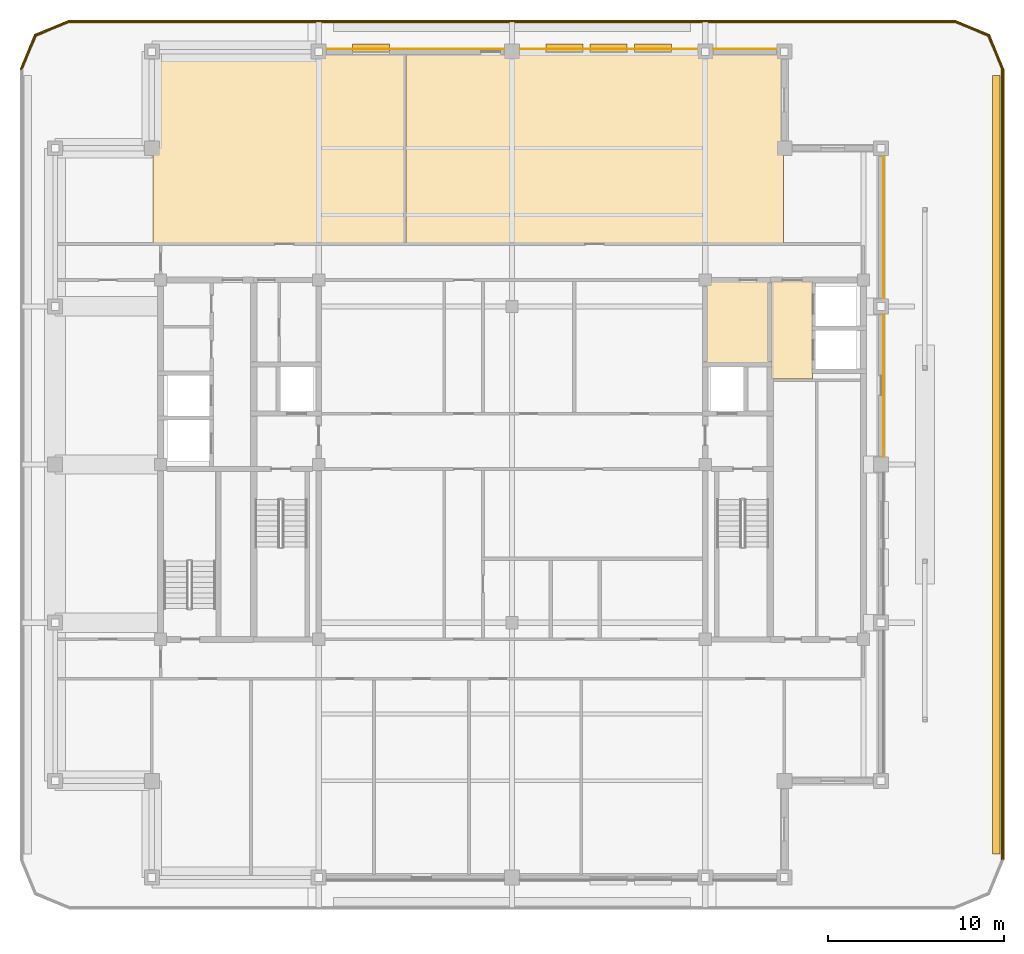
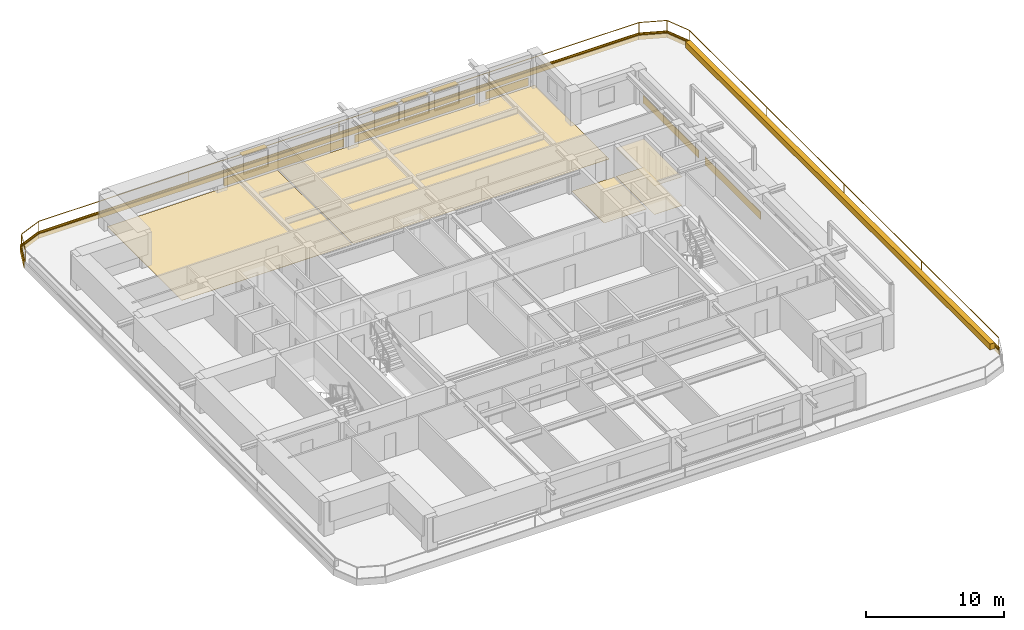
# One storey, part 14 of 14: 17 coverings, 4 shading devices, 2 railings.
"""IFC4 building model written with IfcOpenShell, lengths in metres."""

from ifc_helpers import new_model, si_unit, direction, frame, frame_2d, origin, origin_2d, place, context, subcontext, project, spatial, polyline, rectangle, outline, extrude, material, layer, layer_set, type_object, element, save


model = new_model("IFC4")

# Units and contexts
model_context = context("Model", 3, precision=1e-05, world=origin(), true_north=direction((0.0, 1.0)))
body_context = subcontext(model_context, "Body", "Model", "MODEL_VIEW")
ifc_project = project(units=[si_unit("LENGTHUNIT", "METRE"), si_unit("AREAUNIT", "SQUARE_METRE"), si_unit("VOLUMEUNIT", "CUBIC_METRE"), si_unit("PLANEANGLEUNIT", "RADIAN"), si_unit("MASSUNIT", "GRAM", prefix="KILO")], contexts=[model_context])

# Site, building, storey
site_placement = place(None, origin())
site = spatial("IfcSite", under=ifc_project, at=site_placement, CompositionType="ELEMENT")
building_placement = place(site_placement, origin())
building = spatial("IfcBuilding", under=site, at=building_placement, Name="Zulmaris Gate Convention Tower", CompositionType="ELEMENT")
storey_placement = place(building_placement, frame((0.0, 0.0, 254.429931640625)))
storey = spatial("IfcBuildingStorey", under=building, at=storey_placement, Name="L67", CompositionType="ELEMENT", Elevation=254.429931640625)

# Coverings
ifc_material_1 = material(Name="Precast concrete C40/50", Category="concrete")
ifc_layer_1 = layer(ifc_material_1, 0.0400390625, Name="Precast concrete C40/50")
ifc_layer_set_1 = layer_set([ifc_layer_1], Name="Precast concrete C40/50")
covering_type_1 = type_object("IfcCoveringType", Name="CLAD-SPANDREL-PRECAST", PredefinedType="CLADDING", material=ifc_layer_set_1)
for number, where, z_axis, x_axis, name in (
    (1, (-0.455078125, 23.64990234375, 0.0), (0.0, 0.0, 1.0), (-1.0, 0.0, 0.0), "CLD-L67-N-1_0"),
    (2, (10.544921875, 23.64990234375, 0.0), (0.0, 0.0, 1.0), (-1.0, 0.0, 0.0), "CLD-L67-N-2_0"),
):
    element("IfcCovering", number, at=place(storey_placement, frame(where, z_axis=z_axis, x_axis=x_axis)), inside=storey, type_object=covering_type_1, Name=name, PredefinedType="CLADDING", context=body_context, shape_type="SweptSolid", body=[
        extrude(rectangle(XDim=10.08984375, YDim=0.0400390625, at=frame_2d((5.044921875, 0.0))), origin(), (0.0, 0.0, 1.0), 0.679931640625),
    ])
covering_1_placement = place(storey_placement, frame((15.044921875, 23.64990234375, 0.0), z_axis=(0.0, 0.0, 1.0), x_axis=(-1.0, 0.0, 0.0)))
element("IfcCovering", 3, at=covering_1_placement, inside=storey, type_object=covering_type_1, Name="CLD-L67-N-3_0", PredefinedType="CLADDING", context=body_context, shape_type="SweptSolid", body=[
    extrude(rectangle(XDim=3.58984375, YDim=0.0400390625, at=frame_2d((1.794921875, 0.0))), origin(), (0.0, 0.0, 1.0), 0.679931640625),
])
for number, where, z_axis, x_axis, name in (
    (4, (21.14990234375, 0.455078125, 0.0), (0.0, 0.0, 1.0), (0.0, 1.0, 0.0), "CLD-L67-E-2_0"),
    (5, (21.14990234375, 9.455078125, 0.0), (0.0, 0.0, 1.0), (0.0, 1.0, 0.0), "CLD-L67-E-3_0"),
):
    element("IfcCovering", number, at=place(storey_placement, frame(where, z_axis=z_axis, x_axis=x_axis)), inside=storey, type_object=covering_type_1, Name=name, PredefinedType="CLADDING", context=body_context, shape_type="SweptSolid", body=[
        extrude(rectangle(XDim=8.08984375, YDim=0.0400390625, at=frame_2d((4.044921875, 0.0))), origin(), (0.0, 0.0, 1.0), 0.679931640625),
    ])
ifc_material_2 = material(Name="White Glazed Architectural Precast Concrete C40/50", Category="concrete")
ifc_layer_2 = layer(ifc_material_2, 0.080078125, Name="White Glazed Architectural Precast Concrete C40/50")
ifc_layer_set_2 = layer_set([ifc_layer_2], Name="White Glazed Architectural Precast Concrete C40/50")
covering_type_2 = type_object("IfcCoveringType", Name="CLAD-TRAY-FASCIA", PredefinedType="CLADDING", material=ifc_layer_set_2)
covering_2_placement = place(storey_placement, frame((27.9599609375, -22.5, -0.465087890625), z_axis=(0.0, 0.0, 1.0), x_axis=(0.0, 1.0, 0.0)))
element("IfcCovering", 6, at=covering_2_placement, inside=storey, type_object=covering_type_2, Name="FSC-L67-TR-05", PredefinedType="CLADDING", context=body_context, shape_type="SweptSolid", body=[
    extrude(rectangle(XDim=45.0, YDim=0.080078125, at=frame_2d((22.5, 0.0))), origin(), (0.0, 0.0, 1.0), 0.5849609375),
])
covering_3_placement = place(storey_placement, frame((27.962890625, 22.484619140625, -0.465087890625), z_axis=(0.0, 0.0, 1.0), x_axis=(-0.382656984709, 0.923890487046, 0.0)))
element("IfcCovering", 7, at=covering_3_placement, inside=storey, type_object=covering_type_2, Name="FSC-L67-TR-06", PredefinedType="CLADDING", context=body_context, shape_type="SweptSolid", body=[
    extrude(rectangle(XDim=2.14306640625, YDim=0.080078125, at=frame_2d((1.071533203125, 0.0))), origin(), (0.0, 0.0, 1.0), 0.5849609375),
])
covering_4_placement = place(storey_placement, frame((27.16455078125, 24.44287109375, -0.465087890625), z_axis=(0.0, 0.0, 1.0), x_axis=(-0.923873803533, 0.382697263049, 0.0)))
element("IfcCovering", 8, at=covering_4_placement, inside=storey, type_object=covering_type_2, Name="FSC-L67-TR-07", PredefinedType="CLADDING", context=body_context, shape_type="SweptSolid", body=[
    extrude(rectangle(XDim=2.142822265625, YDim=0.080078125, at=frame_2d((1.0712890625, 0.0))), origin(), (0.0, 0.0, 1.0), 0.5849609375),
])
covering_5_placement = place(storey_placement, frame((25.199951171875, 25.260009765625, -0.465087890625), z_axis=(0.0, 0.0, 1.0), x_axis=(-1.0, 0.0, 0.0)))
element("IfcCovering", 9, at=covering_5_placement, inside=storey, type_object=covering_type_2, Name="FSC-L67-TR-08", PredefinedType="CLADDING", context=body_context, shape_type="SweptSolid", body=[
    extrude(rectangle(XDim=50.39990234375, YDim=0.080078125, at=frame_2d((25.199951171875, 0.0))), origin(), (0.0, 0.0, 1.0), 0.5849609375),
])
covering_6_placement = place(storey_placement, frame((-25.184814453125, 25.262939453125, -0.465087890625), z_axis=(0.0, 0.0, 1.0), x_axis=(-0.923873803533, -0.382697263049, 0.0)))
element("IfcCovering", 10, at=covering_6_placement, inside=storey, type_object=covering_type_2, Name="FSC-L67-TR-09", PredefinedType="CLADDING", context=body_context, shape_type="SweptSolid", body=[
    extrude(rectangle(XDim=2.142822265625, YDim=0.080078125, at=frame_2d((1.0712890625, 0.0))), origin(), (0.0, 0.0, 1.0), 0.5849609375),
])
covering_7_placement = place(storey_placement, frame((-27.142822265625, 24.464599609375, -0.465087890625), z_axis=(0.0, 0.0, 1.0), x_axis=(-0.382656984709, -0.923890487046, 0.0)))
element("IfcCovering", 11, at=covering_7_placement, inside=storey, type_object=covering_type_2, Name="FSC-L67-TR-10", PredefinedType="CLADDING", context=body_context, shape_type="SweptSolid", body=[
    extrude(rectangle(XDim=2.14306640625, YDim=0.080078125, at=frame_2d((1.071533203125, 0.0))), origin(), (0.0, 0.0, 1.0), 0.5849609375),
])
ifc_material_3 = material(Name="Mineral Fibre Acoustic Ceiling Tile")
ifc_layer_3 = layer(ifc_material_3, 0.02001953125, Name="Mineral Fibre Acoustic Ceiling Tile")
ifc_layer_set_3 = layer_set([ifc_layer_3], Name="Mineral Fibre Acoustic Ceiling Tile")
covering_type_3 = type_object("IfcCoveringType", Name="CLG-ACOUSTIC-600", PredefinedType="CEILING", material=ifc_layer_set_3)
covering_8_placement = place(storey_placement, frame((0.0, 0.0, 2.5380859375)))
element("IfcCovering", 12, at=covering_8_placement, inside=storey, type_object=covering_type_3, Name="CLG-L67-R23", PredefinedType="CEILING", context=body_context, shape_type="SweptSolid", body=[
    extrude(outline(polyline([(14.760009765625, 4.860107421875), (17.090087890625, 4.860107421875), (17.090087890625, 10.43994140625), (14.760009765625, 10.43994140625), (14.760009765625, 4.860107421875)])), origin(), (0.0, 0.0, 1.0), 0.019775390625),
])
ifc_material_4 = material(Name="Woven Acoustic Wool Carpet Tile")
ifc_layer_4 = layer(ifc_material_4, 0.02001953125, Name="Woven Acoustic Wool Carpet Tile")
ifc_layer_set_4 = layer_set([ifc_layer_4], Name="Woven Acoustic Wool Carpet Tile")
covering_type_4 = type_object("IfcCoveringType", Name="FLR-CARPET-12", PredefinedType="FLOORING", material=ifc_layer_set_4)
covering_9_placement = place(storey_placement, origin())
element("IfcCovering", 13, at=covering_9_placement, inside=storey, type_object=covering_type_4, Name="FLR-L67-R13", PredefinedType="FLOORING", context=body_context, shape_type="SweptSolid", body=[
    extrude(outline(polyline([(11.06005859375, 5.760009765625), (14.639892578125, 5.760009765625), (14.639892578125, 10.43994140625), (11.06005859375, 10.43994140625), (11.06005859375, 5.760009765625)])), origin(), (0.0, 0.0, 1.0), 0.02001953125),
])
covering_10_placement = place(storey_placement, origin())
element("IfcCovering", 14, at=covering_10_placement, inside=storey, type_object=covering_type_4, Name="FLR-L67-R23", PredefinedType="FLOORING", context=body_context, shape_type="SweptSolid", body=[
    extrude(outline(polyline([(14.760009765625, 4.860107421875), (17.090087890625, 4.860107421875), (17.090087890625, 10.43994140625), (14.760009765625, 10.43994140625), (14.760009765625, 4.860107421875)])), origin(), (0.0, 0.0, 1.0), 0.02001953125),
])
covering_11_placement = place(storey_placement, origin())
element("IfcCovering", 15, at=covering_11_placement, inside=storey, type_object=covering_type_4, Name="FLR-L67-R35", PredefinedType="FLOORING", context=body_context, shape_type="SweptSolid", body=[
    extrude(outline(polyline([(-6.0400390625, 12.610107421875), (15.43994140625, 12.610107421875), (15.43994140625, 23.43994140625), (-6.0400390625, 23.43994140625), (-6.0400390625, 12.610107421875)])), origin(), (0.0, 0.0, 1.0), 0.02001953125),
])
ifc_material_5 = material(Name="Engineered Teak Parquet Flooring")
ifc_layer_5 = layer(ifc_material_5, 0.02001953125, Name="Engineered Teak Parquet Flooring")
ifc_layer_set_5 = layer_set([ifc_layer_5], Name="Engineered Teak Parquet Flooring")
covering_type_5 = type_object("IfcCoveringType", Name="FLR-TIMBER-18", PredefinedType="FLOORING", material=ifc_layer_set_5)
covering_12_placement = place(storey_placement, origin())
element("IfcCovering", 16, at=covering_12_placement, inside=storey, type_object=covering_type_5, Name="FLR-L67-R34", PredefinedType="FLOORING", context=body_context, shape_type="SweptSolid", body=[
    extrude(outline(polyline([(-20.43994140625, 12.610107421875), (-6.159912109375, 12.610107421875), (-6.159912109375, 23.43994140625), (-20.43994140625, 23.43994140625), (-20.43994140625, 12.610107421875)])), origin(), (0.0, 0.0, 1.0), 0.02001953125),
])
ifc_material_6 = material(Name="Botanical Green Glazed Precast Concrete C40/50", Category="concrete")
ifc_layer_6 = layer(ifc_material_6, 0.419921875, Name="Botanical Green Glazed Precast Concrete C40/50")
ifc_layer_set_6 = layer_set([ifc_layer_6], Name="Botanical Green Glazed Precast Concrete C40/50")
covering_type_6 = type_object("IfcCoveringType", Name="PLANTER-BOX-200", PredefinedType="CLADDING", material=ifc_layer_set_6)
covering_13_placement = place(storey_placement, frame((0.0, 0.0, -0.0400390625)))
element("IfcCovering", 17, at=covering_13_placement, inside=storey, type_object=covering_type_6, Name="L67 E Full-Length Balcony Tree Planter Trough", PredefinedType="CLADDING", context=body_context, shape_type="SweptSolid", body=[
    extrude(outline(polyline([(27.340087890625, -22.14990234375), (27.760009765625, -22.14990234375), (27.760009765625, 22.14990234375), (27.340087890625, 22.14990234375), (27.340087890625, -22.14990234375)])), origin(), (0.0, 0.0, 1.0), 0.52001953125),
])

# Railings
ifc_material_7 = material(Name="Laminated Glass and Stainless Steel", Category="steel")
railing_type = type_object("IfcRailingType", Name="RL-BALC-1150", PredefinedType="BALUSTRADE", material=ifc_material_7)
railing_1_placement = place(storey_placement, frame((27.8798828125, -22.5, -0.0400390625)))
element("IfcRailing", 18, at=railing_1_placement, inside=storey, type_object=railing_type, Name="RL-L67-BALC-E", PredefinedType="BALUSTRADE", context=body_context, shape_type="SweptSolid", body=[
    extrude(rectangle(XDim=0.048095703125, YDim=0.048095703125, at=origin_2d()), frame((0.0, 0.0, 1.1259765625), z_axis=(0.0, 1.0, 0.0), x_axis=(-1.0, 0.0, 0.0)), (0.0, 0.0, 1.0), 45.0),
    extrude(rectangle(XDim=0.048095703125, YDim=0.048095703125, at=origin_2d()), frame((0.0, 0.0, 0.02392578125), z_axis=(0.0, 1.0, 0.0), x_axis=(-1.0, 0.0, 0.0)), (0.0, 0.0, 1.0), 45.0),
    extrude(rectangle(XDim=0.0419921875, YDim=0.0419921875, at=origin_2d()), origin(), (0.0, 0.0, 1.0), 1.101806640625),
    extrude(rectangle(XDim=0.0419921875, YDim=0.0419921875, at=origin_2d()), frame((0.0, 11.25, 0.0)), (0.0, 0.0, 1.0), 1.101806640625),
    extrude(rectangle(XDim=0.0419921875, YDim=0.0419921875, at=origin_2d()), frame((0.0, 22.5, 0.0)), (0.0, 0.0, 1.0), 1.101806640625),
    extrude(rectangle(XDim=0.0419921875, YDim=0.0419921875, at=origin_2d()), frame((0.0, 33.75, 0.0)), (0.0, 0.0, 1.0), 1.101806640625),
    extrude(rectangle(XDim=0.0419921875, YDim=0.0419921875, at=origin_2d()), frame((0.0, 45.0, 0.0)), (0.0, 0.0, 1.0), 1.101806640625),
])
railing_2_placement = place(storey_placement, frame((27.8798828125, 22.5, -0.0400390625)))
element("IfcRailing", 19, at=railing_2_placement, inside=storey, type_object=railing_type, Name="RL-L67-BALC-N", PredefinedType="BALUSTRADE", context=body_context, shape_type="SweptSolid", body=[
    extrude(rectangle(XDim=0.048095703125, YDim=0.048095703125, at=origin_2d()), frame((0.0, 0.0, 1.1259765625), z_axis=(-0.382670664694, 0.92388482095, 0.0), x_axis=(-0.92388482095, -0.382670664694, 0.0)), (0.0, 0.0, 1.0), 2.051025390625),
    extrude(rectangle(XDim=0.048095703125, YDim=0.048095703125, at=origin_2d()), frame((0.0, 0.0, 0.02392578125), z_axis=(-0.382670664694, 0.92388482095, 0.0), x_axis=(-0.92388482095, -0.382670664694, 0.0)), (0.0, 0.0, 1.0), 2.051025390625),
    extrude(rectangle(XDim=0.048095703125, YDim=0.048095703125, at=origin_2d()), frame((-0.784912109375, 1.89501953125, 1.1259765625), z_axis=(-0.92388482095, 0.382670664694, 0.0), x_axis=(-0.382670664694, -0.92388482095, 0.0)), (0.0, 0.0, 1.0), 2.051025390625),
    extrude(rectangle(XDim=0.048095703125, YDim=0.048095703125, at=origin_2d()), frame((-0.784912109375, 1.89501953125, 0.02392578125), z_axis=(-0.92388482095, 0.382670664694, 0.0), x_axis=(-0.382670664694, -0.92388482095, 0.0)), (0.0, 0.0, 1.0), 2.051025390625),
    extrude(rectangle(XDim=0.048095703125, YDim=0.048095703125, at=origin_2d()), frame((-2.679931640625, 2.679931640625, 1.1259765625), z_axis=(-1.0, 0.0, 0.0), x_axis=(0.0, -1.0, 0.0)), (0.0, 0.0, 1.0), 50.39990234375),
    extrude(rectangle(XDim=0.048095703125, YDim=0.048095703125, at=origin_2d()), frame((-2.679931640625, 2.679931640625, 0.02392578125), z_axis=(-1.0, 0.0, 0.0), x_axis=(0.0, -1.0, 0.0)), (0.0, 0.0, 1.0), 50.39990234375),
    extrude(rectangle(XDim=0.048095703125, YDim=0.048095703125, at=origin_2d()), frame((-53.079833984375, 2.679931640625, 1.1259765625), z_axis=(-0.92388482095, -0.382670664694, 0.0), x_axis=(0.382670664694, -0.92388482095, 0.0)), (0.0, 0.0, 1.0), 2.051025390625),
    extrude(rectangle(XDim=0.048095703125, YDim=0.048095703125, at=origin_2d()), frame((-53.079833984375, 2.679931640625, 0.02392578125), z_axis=(-0.92388482095, -0.382670664694, 0.0), x_axis=(0.382670664694, -0.92388482095, 0.0)), (0.0, 0.0, 1.0), 2.051025390625),
    extrude(rectangle(XDim=0.048095703125, YDim=0.048095703125, at=origin_2d()), frame((-54.974853515625, 1.89501953125, 1.1259765625), z_axis=(-0.382670664694, -0.92388482095, 0.0), x_axis=(0.92388482095, -0.382670664694, 0.0)), (0.0, 0.0, 1.0), 2.051025390625),
    extrude(rectangle(XDim=0.048095703125, YDim=0.048095703125, at=origin_2d()), frame((-54.974853515625, 1.89501953125, 0.02392578125), z_axis=(-0.382670664694, -0.92388482095, 0.0), x_axis=(0.92388482095, -0.382670664694, 0.0)), (0.0, 0.0, 1.0), 2.051025390625),
    extrude(rectangle(XDim=0.0419921875, YDim=0.0419921875, at=origin_2d()), origin(), (0.0, 0.0, 1.0), 1.101806640625),
    extrude(rectangle(XDim=0.0419921875, YDim=0.0419921875, at=origin_2d()), frame((-0.784912109375, 1.89501953125, 0.0)), (0.0, 0.0, 1.0), 1.101806640625),
    extrude(rectangle(XDim=0.0419921875, YDim=0.0419921875, at=origin_2d()), frame((-2.679931640625, 2.679931640625, 0.0)), (0.0, 0.0, 1.0), 1.101806640625),
    extrude(rectangle(XDim=0.0419921875, YDim=0.0419921875, at=origin_2d()), frame((-15.27978515625, 2.679931640625, 0.0)), (0.0, 0.0, 1.0), 1.101806640625),
    extrude(rectangle(XDim=0.0419921875, YDim=0.0419921875, at=origin_2d()), frame((-27.8798828125, 2.679931640625, 0.0)), (0.0, 0.0, 1.0), 1.101806640625),
    extrude(rectangle(XDim=0.0419921875, YDim=0.0419921875, at=origin_2d()), frame((-40.47998046875, 2.679931640625, 0.0)), (0.0, 0.0, 1.0), 1.101806640625),
    extrude(rectangle(XDim=0.0419921875, YDim=0.0419921875, at=origin_2d()), frame((-53.079833984375, 2.679931640625, 0.0)), (0.0, 0.0, 1.0), 1.101806640625),
    extrude(rectangle(XDim=0.0419921875, YDim=0.0419921875, at=origin_2d()), frame((-54.974853515625, 1.89501953125, 0.0)), (0.0, 0.0, 1.0), 1.101806640625),
    extrude(rectangle(XDim=0.0419921875, YDim=0.0419921875, at=origin_2d()), frame((-55.759765625, 0.0, 0.0)), (0.0, 0.0, 1.0), 1.101806640625),
])

# Shading devices
ifc_material_8 = material(Name="Glazed Ceramic Terracotta", Category="masonry")
ifc_layer_7 = layer(ifc_material_8, 0.070068359375, Name="Glazed Ceramic Terracotta")
ifc_layer_set_7 = layer_set([ifc_layer_7], Name="Glazed Ceramic Terracotta")
shading_device_type = type_object("IfcShadingDeviceType", Name="SHD-SUNSHADE-TC", PredefinedType="AWNING", material=ifc_layer_set_7)
for number, where, z_axis, x_axis, name in (
    (20, (-6.972900390625, 23.719970703125, 2.22998046875), (0.0, 0.0, 1.0), (-1.0, 0.0, 0.0), "SHD-EW-L67-N-1_0-3"),
    (21, (9.072998046875, 23.719970703125, 2.22998046875), (0.0, 0.0, 1.0), (-1.0, 0.0, 0.0), "SHD-EW-L67-N-2_0-1"),
    (22, (6.550048828125, 23.719970703125, 2.22998046875), (0.0, 0.0, 1.0), (-1.0, 0.0, 0.0), "SHD-EW-L67-N-2_0-2"),
    (23, (4.027099609375, 23.719970703125, 2.22998046875), (0.0, 0.0, 1.0), (-1.0, 0.0, 0.0), "SHD-EW-L67-N-2_0-3"),
):
    element("IfcShadingDevice", number, at=place(storey_placement, frame(where, z_axis=z_axis, x_axis=x_axis)), inside=storey, type_object=shading_device_type, Name=name, PredefinedType="AWNING", context=body_context, shape_type="SweptSolid", body=[
        extrude(rectangle(XDim=2.10009765625, YDim=0.43994140625, at=frame_2d((1.050048828125, 0.0))), origin(), (0.0, 0.0, 1.0), 0.070068359375),
    ])

save(model, "model.ifc")
